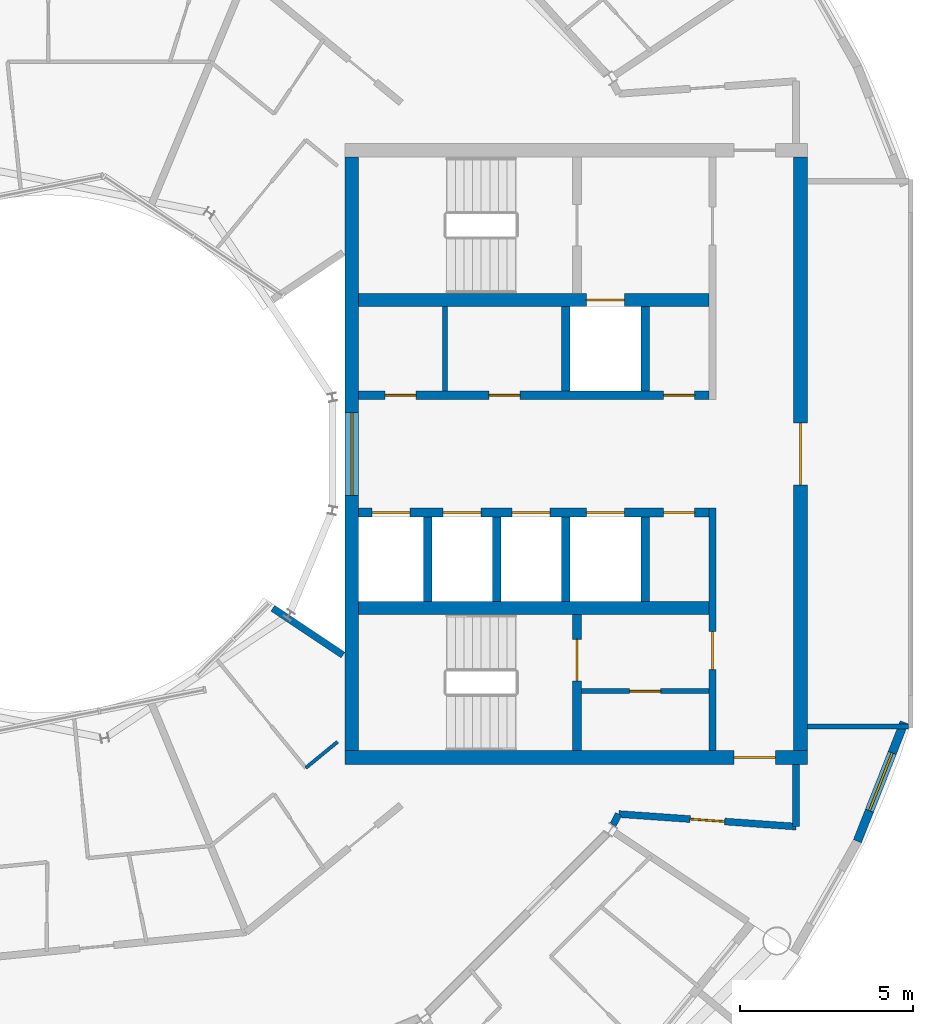
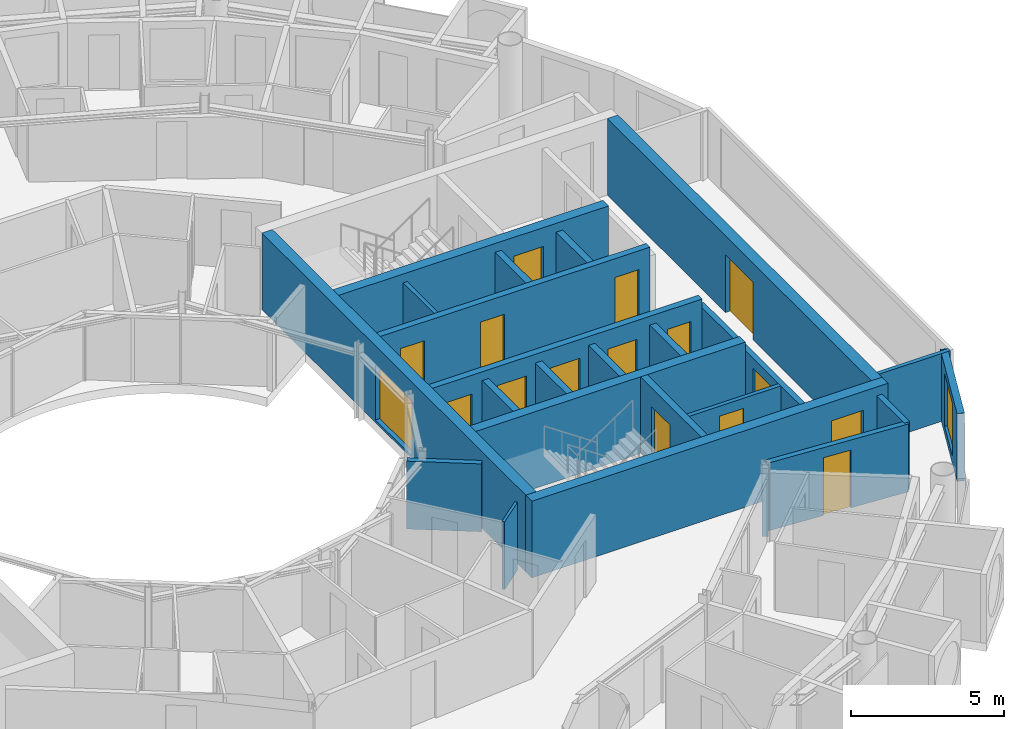
# One storey, part 18 of 27: 24 walls, 15 doors, 2 windows, 17 openings.
"""IFC4 building model written with IfcOpenShell, lengths in metres."""

from ifc_helpers import new_model, si_unit, direction, frame, frame_2d, origin, place, context, subcontext, project, spatial, rectangle, extrude, material, layer, layer_set, type_object, element, fill, save


model = new_model("IFC4")

# Units and contexts
model_context = context("Model", 3, precision=1e-05, world=origin(), true_north=direction((0.0, 1.0)))
body_context = subcontext(model_context, "Body", "Model", "MODEL_VIEW")
ifc_project = project(units=[si_unit("LENGTHUNIT", "METRE"), si_unit("AREAUNIT", "SQUARE_METRE"), si_unit("VOLUMEUNIT", "CUBIC_METRE"), si_unit("PLANEANGLEUNIT", "RADIAN"), si_unit("MASSUNIT", "GRAM", prefix="KILO")], contexts=[model_context])

# Site, building, storey
site_placement = place(None, origin())
site = spatial("IfcSite", under=ifc_project, at=site_placement, CompositionType="ELEMENT")
building_placement = place(site_placement, origin())
building = spatial("IfcBuilding", under=site, at=building_placement, Name="Maasbend Ring Residences", CompositionType="ELEMENT")
storey_placement = place(building_placement, frame((0.0, 0.0, 240.14990234375)))
storey = spatial("IfcBuildingStorey", under=building, at=storey_placement, Name="L69", CompositionType="ELEMENT", Elevation=240.14990234375)

# Wall, openings, doors
ifc_material_1 = material(Name="Concrete C50/60", Category="concrete")
ifc_layer_1 = layer(ifc_material_1, 0.25)
ifc_layer_set_1 = layer_set([ifc_layer_1], Name="Concrete C50/60")
wall_type_1 = type_object("IfcWallType", Name="CORE WALL 250 C50/60", PredefinedType="SHEAR", material=ifc_layer_set_1)
wall_1_placement = place(storey_placement, frame((9.0, 1.699951171875, 0.0), z_axis=(0.0, 0.0, 1.0), x_axis=(1.0, 0.0, 0.0)))
wall_1 = element("IfcWall", 1, at=wall_1_placement, inside=storey, type_object=wall_type_1, Name="L69 core E wall SPN", PredefinedType="SHEAR", context=body_context, shape_type="SweptSolid", body=[
    extrude(rectangle(XDim=10.14990234375, YDim=0.25, at=frame_2d((5.074951171875, 0.0))), origin(), (0.0, 0.0, 1.0), 3.050048828125),
])
opening_1_placement = place(wall_1_placement, frame((0.762451171875, 0.0, 0.0)))
opening_1 = element("IfcOpeningElement", 2, at=opening_1_placement, cuts=wall_1, Name="Opening D-E6906", PredefinedType="OPENING", context=body_context, shape_type="SweptSolid", body=[
    extrude(rectangle(XDim=0.89990234375, YDim=2.300048828125, at=frame_2d((0.449951171875, 1.14990234375))), frame((0.0, 0.135009765625, 0.0), z_axis=(0.0, -1.0, 0.0), x_axis=(1.0, 0.0, 0.0)), (0.0, 0.0, 1.0), 0.27001953125),
])
opening_2_placement = place(wall_1_placement, frame((3.77490234375, 0.0, 0.0)))
opening_2 = element("IfcOpeningElement", 3, at=opening_2_placement, cuts=wall_1, Name="Opening D-E6907", PredefinedType="OPENING", context=body_context, shape_type="SweptSolid", body=[
    extrude(rectangle(XDim=0.89990234375, YDim=2.300048828125, at=frame_2d((0.449951171875, 1.14990234375))), frame((0.0, 0.135009765625, 0.0), z_axis=(0.0, -1.0, 0.0), x_axis=(1.0, 0.0, 0.0)), (0.0, 0.0, 1.0), 0.27001953125),
])
opening_3_placement = place(wall_1_placement, frame((8.83740234375, 0.0, 0.0)))
opening_3 = element("IfcOpeningElement", 4, at=opening_3_placement, cuts=wall_1, Name="Opening D-E6908", PredefinedType="OPENING", context=body_context, shape_type="SweptSolid", body=[
    extrude(rectangle(XDim=0.89990234375, YDim=2.300048828125, at=frame_2d((0.449951171875, 1.14990234375))), frame((0.0, 0.135009765625, 0.0), z_axis=(0.0, -1.0, 0.0), x_axis=(1.0, 0.0, 0.0)), (0.0, 0.0, 1.0), 0.27001953125),
])
ifc_material_2 = material(Name="Steel, powder coated", Category="steel")
door_type_1 = type_object("IfcDoorType", Name="ROOM DOOR 900 X 2300 FD30S", OperationType="NOTDEFINED", PredefinedType="DOOR", material=ifc_material_2)
door_1_placement = place(opening_1_placement, origin())
door_1 = element("IfcDoor", 5, at=door_1_placement, inside=storey, type_object=door_type_1, Name="Room door L69", OperationType="SINGLE_SWING_RIGHT", OverallHeight=2.300048828125, OverallWidth=0.89990234375, PredefinedType="DOOR", context=body_context, shape_type="SweptSolid", body=[
    extrude(rectangle(XDim=0.89990234375, YDim=2.300048828125, at=frame_2d((0.449951171875, 1.14990234375))), frame((0.0, 0.02490234375, 0.0), z_axis=(0.0, -1.0, 0.0), x_axis=(1.0, 0.0, 0.0)), (0.0, 0.0, 1.0), 0.050048828125),
])
fill(opening_1, door_1)
door_2_placement = place(opening_2_placement, origin())
door_2 = element("IfcDoor", 6, at=door_2_placement, inside=storey, type_object=door_type_1, Name="Room door L69", OperationType="SINGLE_SWING_RIGHT", OverallHeight=2.300048828125, OverallWidth=0.89990234375, PredefinedType="DOOR", context=body_context, shape_type="SweptSolid", body=[
    extrude(rectangle(XDim=0.89990234375, YDim=2.300048828125, at=frame_2d((0.449951171875, 1.14990234375))), frame((0.0, 0.02490234375, 0.0), z_axis=(0.0, -1.0, 0.0), x_axis=(1.0, 0.0, 0.0)), (0.0, 0.0, 1.0), 0.050048828125),
])
fill(opening_2, door_2)
door_3_placement = place(opening_3_placement, origin())
door_3 = element("IfcDoor", 7, at=door_3_placement, inside=storey, type_object=door_type_1, Name="Room door L69", OperationType="SINGLE_SWING_LEFT", OverallHeight=2.300048828125, OverallWidth=0.89990234375, PredefinedType="DOOR", context=body_context, shape_type="SweptSolid", body=[
    extrude(rectangle(XDim=0.89990234375, YDim=2.300048828125, at=frame_2d((0.449951171875, 1.14990234375))), frame((0.0, 0.02490234375, 0.0), z_axis=(0.0, -1.0, 0.0), x_axis=(1.0, 0.0, 0.0)), (0.0, 0.0, 1.0), 0.050048828125),
])
fill(opening_3, door_3)

wall_2_placement = place(storey_placement, frame((19.14990234375, -1.699951171875, 0.0), z_axis=(0.0, 0.0, 1.0), x_axis=(-1.0, 0.0, 0.0)))
wall_2 = element("IfcWall", 8, at=wall_2_placement, inside=storey, type_object=wall_type_1, Name="L69 core E wall SPS", PredefinedType="SHEAR", context=body_context, shape_type="SweptSolid", body=[
    extrude(rectangle(XDim=10.14990234375, YDim=0.25, at=frame_2d((5.074951171875, 0.0))), origin(), (0.0, 0.0, 1.0), 3.050048828125),
])
opening_4_placement = place(wall_2_placement, frame((8.66259765625, 0.0, 0.0)))
opening_4 = element("IfcOpeningElement", 9, at=opening_4_placement, cuts=wall_2, Name="Opening LD-E6902", PredefinedType="OPENING", context=body_context, shape_type="SweptSolid", body=[
    extrude(rectangle(XDim=1.10009765625, YDim=2.300048828125, at=frame_2d((0.550048828125, 1.14990234375))), frame((0.0, 0.135009765625, 0.0), z_axis=(0.0, -1.0, 0.0), x_axis=(1.0, 0.0, 0.0)), (0.0, 0.0, 1.0), 0.27001953125),
])
opening_5_placement = place(wall_2_placement, frame((6.60009765625, 0.0, 0.0)))
opening_5 = element("IfcOpeningElement", 10, at=opening_5_placement, cuts=wall_2, Name="Opening LD-E6903", PredefinedType="OPENING", context=body_context, shape_type="SweptSolid", body=[
    extrude(rectangle(XDim=1.10009765625, YDim=2.300048828125, at=frame_2d((0.550048828125, 1.14990234375))), frame((0.0, 0.135009765625, 0.0), z_axis=(0.0, -1.0, 0.0), x_axis=(1.0, 0.0, 0.0)), (0.0, 0.0, 1.0), 0.27001953125),
])
opening_6_placement = place(wall_2_placement, frame((4.60009765625, 0.0, 0.0)))
opening_6 = element("IfcOpeningElement", 11, at=opening_6_placement, cuts=wall_2, Name="Opening LD-E6904", PredefinedType="OPENING", context=body_context, shape_type="SweptSolid", body=[
    extrude(rectangle(XDim=1.10009765625, YDim=2.300048828125, at=frame_2d((0.550048828125, 1.14990234375))), frame((0.0, 0.135009765625, 0.0), z_axis=(0.0, -1.0, 0.0), x_axis=(1.0, 0.0, 0.0)), (0.0, 0.0, 1.0), 0.27001953125),
])
opening_7_placement = place(wall_2_placement, frame((2.449951171875, 0.0, 0.0)))
opening_7 = element("IfcOpeningElement", 12, at=opening_7_placement, cuts=wall_2, Name="Opening LD-E6905", PredefinedType="OPENING", context=body_context, shape_type="SweptSolid", body=[
    extrude(rectangle(XDim=1.10009765625, YDim=2.300048828125, at=frame_2d((0.550048828125, 1.14990234375))), frame((0.0, 0.135009765625, 0.0), z_axis=(0.0, -1.0, 0.0), x_axis=(1.0, 0.0, 0.0)), (0.0, 0.0, 1.0), 0.27001953125),
])
opening_8_placement = place(wall_2_placement, frame((0.41259765625, 0.0, 0.0)))
opening_8 = element("IfcOpeningElement", 13, at=opening_8_placement, cuts=wall_2, Name="Opening D-E6909", PredefinedType="OPENING", context=body_context, shape_type="SweptSolid", body=[
    extrude(rectangle(XDim=0.89990234375, YDim=2.300048828125, at=frame_2d((0.449951171875, 1.14990234375))), frame((0.0, 0.135009765625, 0.0), z_axis=(0.0, -1.0, 0.0), x_axis=(1.0, 0.0, 0.0)), (0.0, 0.0, 1.0), 0.27001953125),
])
ifc_material_3 = material(Name="Stainless steel 316", Category="steel")
door_type_2 = type_object("IfcDoorType", Name="LANDING DOOR 1100 X 2300 FD60", OperationType="DOUBLE_DOOR_SLIDING", PredefinedType="DOOR", material=ifc_material_3)
door_4_placement = place(opening_4_placement, origin())
door_4 = element("IfcDoor", 14, at=door_4_placement, inside=storey, type_object=door_type_2, Name="Landing door HR-E1 L69", OperationType="DOUBLE_DOOR_SLIDING", OverallHeight=2.300048828125, OverallWidth=1.10009765625, PredefinedType="DOOR", context=body_context, shape_type="SweptSolid", body=[
    extrude(rectangle(XDim=1.10009765625, YDim=2.300048828125, at=frame_2d((0.550048828125, 1.14990234375))), frame((0.0, 0.02490234375, 0.0), z_axis=(0.0, -1.0, 0.0), x_axis=(1.0, 0.0, 0.0)), (0.0, 0.0, 1.0), 0.050048828125),
])
fill(opening_4, door_4)
door_5_placement = place(opening_5_placement, origin())
door_5 = element("IfcDoor", 15, at=door_5_placement, inside=storey, type_object=door_type_2, Name="Landing door HR-E2 L69", OperationType="DOUBLE_DOOR_SLIDING", OverallHeight=2.300048828125, OverallWidth=1.10009765625, PredefinedType="DOOR", context=body_context, shape_type="SweptSolid", body=[
    extrude(rectangle(XDim=1.10009765625, YDim=2.300048828125, at=frame_2d((0.550048828125, 1.14990234375))), frame((0.0, 0.02490234375, 0.0), z_axis=(0.0, -1.0, 0.0), x_axis=(1.0, 0.0, 0.0)), (0.0, 0.0, 1.0), 0.050048828125),
])
fill(opening_5, door_5)
door_6_placement = place(opening_6_placement, origin())
door_6 = element("IfcDoor", 16, at=door_6_placement, inside=storey, type_object=door_type_2, Name="Landing door HR-E3 L69", OperationType="DOUBLE_DOOR_SLIDING", OverallHeight=2.300048828125, OverallWidth=1.10009765625, PredefinedType="DOOR", context=body_context, shape_type="SweptSolid", body=[
    extrude(rectangle(XDim=1.10009765625, YDim=2.300048828125, at=frame_2d((0.550048828125, 1.14990234375))), frame((0.0, 0.02490234375, 0.0), z_axis=(0.0, -1.0, 0.0), x_axis=(1.0, 0.0, 0.0)), (0.0, 0.0, 1.0), 0.050048828125),
])
fill(opening_6, door_6)
door_7_placement = place(opening_7_placement, origin())
door_7 = element("IfcDoor", 17, at=door_7_placement, inside=storey, type_object=door_type_2, Name="Landing door SV-E L69", OperationType="DOUBLE_DOOR_SLIDING", OverallHeight=2.300048828125, OverallWidth=1.10009765625, PredefinedType="DOOR", context=body_context, shape_type="SweptSolid", body=[
    extrude(rectangle(XDim=1.10009765625, YDim=2.300048828125, at=frame_2d((0.550048828125, 1.14990234375))), frame((0.0, 0.02490234375, 0.0), z_axis=(0.0, -1.0, 0.0), x_axis=(1.0, 0.0, 0.0)), (0.0, 0.0, 1.0), 0.050048828125),
])
fill(opening_7, door_7)
door_8_placement = place(opening_8_placement, origin())
door_8 = element("IfcDoor", 18, at=door_8_placement, inside=storey, type_object=door_type_1, Name="Room door L69", OperationType="SINGLE_SWING_RIGHT", OverallHeight=2.300048828125, OverallWidth=0.89990234375, PredefinedType="DOOR", context=body_context, shape_type="SweptSolid", body=[
    extrude(rectangle(XDim=0.89990234375, YDim=2.300048828125, at=frame_2d((0.449951171875, 1.14990234375))), frame((0.0, 0.02490234375, 0.0), z_axis=(0.0, -1.0, 0.0), x_axis=(1.0, 0.0, 0.0)), (0.0, 0.0, 1.0), 0.050048828125),
])
fill(opening_8, door_8)

# Wall, opening, door
wall_3_placement = place(storey_placement, frame((15.324951171875, -8.60009765625, 0.0), z_axis=(0.0, 0.0, 1.0), x_axis=(0.0, 1.0, 0.0)))
wall_3 = element("IfcWall", 19, at=wall_3_placement, inside=storey, type_object=wall_type_1, Name="L69 core E wall STES", PredefinedType="SHEAR", context=body_context, shape_type="SweptSolid", body=[
    extrude(rectangle(XDim=3.9501953125, YDim=0.25, at=frame_2d((1.97509765625, 0.0))), origin(), (0.0, 0.0, 1.0), 3.050048828125),
])
opening_9_placement = place(wall_3_placement, frame((2.02490234375, 0.0, 0.0)))
opening_9 = element("IfcOpeningElement", 20, at=opening_9_placement, cuts=wall_3, Name="Opening D-E6912", PredefinedType="OPENING", context=body_context, shape_type="SweptSolid", body=[
    extrude(rectangle(XDim=1.199951171875, YDim=2.300048828125, at=frame_2d((0.60009765625, 1.14990234375))), frame((0.0, 0.135009765625, 0.0), z_axis=(0.0, -1.0, 0.0), x_axis=(1.0, 0.0, 0.0)), (0.0, 0.0, 1.0), 0.27001953125),
])
ifc_material_4 = material(Name="Steel, powder coated", Category="steel")
door_type_3 = type_object("IfcDoorType", Name="STAIR DOOR 1200 X 2300 FD60", OperationType="NOTDEFINED", PredefinedType="DOOR", material=ifc_material_4)
door_9_placement = place(opening_9_placement, origin())
door_9 = element("IfcDoor", 21, at=door_9_placement, inside=storey, type_object=door_type_3, Name="Stair door ST-E L69", OperationType="SINGLE_SWING_LEFT", OverallHeight=2.300048828125, OverallWidth=1.199951171875, PredefinedType="DOOR", context=body_context, shape_type="SweptSolid", body=[
    extrude(rectangle(XDim=1.199951171875, YDim=2.300048828125, at=frame_2d((0.60009765625, 1.14990234375))), frame((0.0, 0.02490234375, 0.0), z_axis=(0.0, -1.0, 0.0), x_axis=(1.0, 0.0, 0.0)), (0.0, 0.0, 1.0), 0.050048828125),
])
fill(opening_9, door_9)

ifc_material_5 = material(Name="Concrete C50/60", Category="concrete")
ifc_layer_2 = layer(ifc_material_5, 0.375)
ifc_layer_set_2 = layer_set([ifc_layer_2], Name="Concrete C50/60")
wall_type_2 = type_object("IfcWallType", Name="CORE WALL 375 C50/60", PredefinedType="SHEAR", material=ifc_layer_set_2)
wall_4_placement = place(storey_placement, frame((9.0, 4.46240234375, 0.0), z_axis=(0.0, 0.0, 1.0), x_axis=(1.0, 0.0, 0.0)))
wall_4 = element("IfcWall", 22, at=wall_4_placement, inside=storey, type_object=wall_type_2, Name="L69 core E wall BN", PredefinedType="SHEAR", context=body_context, shape_type="SweptSolid", body=[
    extrude(rectangle(XDim=10.14990234375, YDim=0.375, at=frame_2d((5.074951171875, 0.0))), origin(), (0.0, 0.0, 1.0), 3.050048828125),
])
opening_10_placement = place(wall_4_placement, frame((6.60009765625, 0.0, 0.0)))
opening_10 = element("IfcOpeningElement", 23, at=opening_10_placement, cuts=wall_4, Name="Opening LD-E6901", PredefinedType="OPENING", context=body_context, shape_type="SweptSolid", body=[
    extrude(rectangle(XDim=1.10009765625, YDim=2.300048828125, at=frame_2d((0.550048828125, 1.14990234375))), frame((0.0, 0.197509765625, 0.0), z_axis=(0.0, -1.0, 0.0), x_axis=(1.0, 0.0, 0.0)), (0.0, 0.0, 1.0), 0.39501953125),
])
door_10_placement = place(opening_10_placement, origin())
door_10 = element("IfcDoor", 24, at=door_10_placement, inside=storey, type_object=door_type_2, Name="Landing door FF-E L69", OperationType="DOUBLE_DOOR_SLIDING", OverallHeight=2.300048828125, OverallWidth=1.10009765625, PredefinedType="DOOR", context=body_context, shape_type="SweptSolid", body=[
    extrude(rectangle(XDim=1.10009765625, YDim=2.300048828125, at=frame_2d((0.550048828125, 1.14990234375))), frame((0.0, 0.02490234375, 0.0), z_axis=(0.0, -1.0, 0.0), x_axis=(1.0, 0.0, 0.0)), (0.0, 0.0, 1.0), 0.050048828125),
])
fill(opening_10, door_10)

# Wall
wall_5_placement = place(storey_placement, frame((9.0, -4.46240234375, 0.0), z_axis=(0.0, 0.0, 1.0), x_axis=(1.0, 0.0, 0.0)))
element("IfcWall", 25, at=wall_5_placement, inside=storey, type_object=wall_type_2, Name="L69 core E wall BS", PredefinedType="SHEAR", context=body_context, shape_type="SweptSolid", body=[
    extrude(rectangle(XDim=10.14990234375, YDim=0.375, at=frame_2d((5.074951171875, 0.0))), origin(), (0.0, 0.0, 1.0), 3.050048828125),
])

# Wall, opening, door
ifc_material_6 = material(Name="Concrete C50/60", Category="concrete")
ifc_layer_3 = layer(ifc_material_6, 0.39990234375)
ifc_layer_set_3 = layer_set([ifc_layer_3], Name="Concrete C50/60")
wall_type_3 = type_object("IfcWallType", Name="CORE WALL 400 C50/60", PredefinedType="SHEAR", material=ifc_layer_set_3)
wall_6_placement = place(storey_placement, frame((8.60009765625, -8.800048828125, 0.0), z_axis=(0.0, 0.0, 1.0), x_axis=(1.0, 0.0, 0.0)))
wall_6 = element("IfcWall", 26, at=wall_6_placement, inside=storey, type_object=wall_type_3, Name="L69 core E wall PS", PredefinedType="SHEAR", context=body_context, shape_type="SweptSolid", body=[
    extrude(rectangle(XDim=13.39990234375, YDim=0.39990234375, at=frame_2d((6.699951171875, 0.0))), origin(), (0.0, 0.0, 1.0), 3.050048828125),
])
opening_11_placement = place(wall_6_placement, frame((11.27490234375, 0.0, 0.0)))
opening_11 = element("IfcOpeningElement", 27, at=opening_11_placement, cuts=wall_6, Name="Opening D-E6916", PredefinedType="OPENING", context=body_context, shape_type="SweptSolid", body=[
    extrude(rectangle(XDim=1.199951171875, YDim=2.300048828125, at=frame_2d((0.60009765625, 1.14990234375))), frame((0.0, 0.2099609375, 0.0), z_axis=(0.0, -1.0, 0.0), x_axis=(1.0, 0.0, 0.0)), (0.0, 0.0, 1.0), 0.419921875),
])
ifc_material_7 = material(Name="Steel, powder coated", Category="steel")
door_type_4 = type_object("IfcDoorType", Name="CORRIDOR DOOR 1200 X 2300 FD30S", OperationType="NOTDEFINED", PredefinedType="DOOR", material=ifc_material_7)
door_11_placement = place(opening_11_placement, origin())
door_11 = element("IfcDoor", 28, at=door_11_placement, inside=storey, type_object=door_type_4, Name="Corridor door L69", OperationType="SINGLE_SWING_LEFT", OverallHeight=2.300048828125, OverallWidth=1.199951171875, PredefinedType="DOOR", context=body_context, shape_type="SweptSolid", body=[
    extrude(rectangle(XDim=1.199951171875, YDim=2.300048828125, at=frame_2d((0.60009765625, 1.14990234375))), frame((0.0, 0.02490234375, 0.0), z_axis=(0.0, -1.0, 0.0), x_axis=(1.0, 0.0, 0.0)), (0.0, 0.0, 1.0), 0.050048828125),
])
fill(opening_11, door_11)

wall_7_placement = place(storey_placement, frame((21.800048828125, 8.60009765625, 0.0), z_axis=(0.0, 0.0, 1.0), x_axis=(0.0, -1.0, 0.0)))
wall_7 = element("IfcWall", 29, at=wall_7_placement, inside=storey, type_object=wall_type_3, Name="L69 core E wall POUT", PredefinedType="SHEAR", context=body_context, shape_type="SweptSolid", body=[
    extrude(rectangle(XDim=17.2001953125, YDim=0.39990234375, at=frame_2d((8.60009765625, 0.0))), origin(), (0.0, 0.0, 1.0), 3.050048828125),
])
opening_12_placement = place(wall_7_placement, frame((7.699951171875, 0.0, 0.0)))
opening_12 = element("IfcOpeningElement", 30, at=opening_12_placement, cuts=wall_7, Name="Opening D-E6917", PredefinedType="OPENING", context=body_context, shape_type="SweptSolid", body=[
    extrude(rectangle(XDim=1.800048828125, YDim=2.300048828125, at=frame_2d((0.89990234375, 1.14990234375))), frame((0.0, 0.2099609375, 0.0), z_axis=(0.0, -1.0, 0.0), x_axis=(1.0, 0.0, 0.0)), (0.0, 0.0, 1.0), 0.419921875),
])
ifc_material_8 = material(Name="Aluminium frame, clear glass", Category="aluminium")
door_type_5 = type_object("IfcDoorType", Name="ENTRANCE DOOR 1800 X 2300 FD60", OperationType="NOTDEFINED", PredefinedType="DOOR", material=ifc_material_8)
door_12_placement = place(opening_12_placement, origin())
door_12 = element("IfcDoor", 31, at=door_12_placement, inside=storey, type_object=door_type_5, Name="Lobby glazed door L69", OperationType="SINGLE_SWING_LEFT", OverallHeight=2.300048828125, OverallWidth=1.800048828125, PredefinedType="DOOR", context=body_context, shape_type="SweptSolid", body=[
    extrude(rectangle(XDim=1.800048828125, YDim=2.300048828125, at=frame_2d((0.89990234375, 1.14990234375))), frame((0.0, 0.02490234375, 0.0), z_axis=(0.0, -1.0, 0.0), x_axis=(1.0, 0.0, 0.0)), (0.0, 0.0, 1.0), 0.050048828125),
])
fill(opening_12, door_12)

# Wall, opening, window
wall_8_placement = place(storey_placement, frame((8.800048828125, -8.60009765625, 0.0), z_axis=(0.0, 0.0, 1.0), x_axis=(0.0, 1.0, 0.0)))
wall_8 = element("IfcWall", 32, at=wall_8_placement, inside=storey, type_object=wall_type_3, Name="L69 core E wall PIN", PredefinedType="SHEAR", context=body_context, shape_type="SweptSolid", body=[
    extrude(rectangle(XDim=17.2001953125, YDim=0.39990234375, at=frame_2d((8.60009765625, 0.0))), origin(), (0.0, 0.0, 1.0), 3.050048828125),
])
opening_13_placement = place(wall_8_placement, frame((7.39990234375, 0.0, 0.10009765625)))
opening_13 = element("IfcOpeningElement", 33, at=opening_13_placement, cuts=wall_8, Name="Opening W-E6901", PredefinedType="OPENING", context=body_context, shape_type="SweptSolid", body=[
    extrude(rectangle(XDim=2.39990234375, YDim=2.199951171875, at=frame_2d((1.199951171875, 1.10009765625))), frame((0.0, 0.2099609375, 0.0), z_axis=(0.0, -1.0, 0.0), x_axis=(1.0, 0.0, 0.0)), (0.0, 0.0, 1.0), 0.419921875),
])
ifc_material_9 = material(Name="Aluminium frame and clear glass", Category="aluminium")
window_type_1 = type_object("IfcWindowType", Name="FIXED WINDOW 2400 X 2200", PartitioningType="SINGLE_PANEL", PredefinedType="WINDOW", material=ifc_material_9)
window_1_placement = place(opening_13_placement, origin())
window_1 = element("IfcWindow", 34, at=window_1_placement, inside=storey, type_object=window_type_1, Name="Lobby window L69", OverallHeight=2.199951171875, OverallWidth=2.39990234375, PartitioningType="SINGLE_PANEL", PredefinedType="WINDOW", context=body_context, shape_type="SweptSolid", body=[
    extrude(rectangle(XDim=2.39990234375, YDim=2.199951171875, at=frame_2d((1.199951171875, 1.10009765625))), frame((0.0, 0.030029296875, 0.0), z_axis=(0.0, -1.0, 0.0), x_axis=(1.0, 0.0, 0.0)), (0.0, 0.0, 1.0), 0.06005859375),
])
fill(opening_13, window_1)

# Walls
ifc_material_10 = material(Name="Concrete C30/37", Category="concrete")
ifc_layer_4 = layer(ifc_material_10, 0.199951171875)
ifc_layer_set_4 = layer_set([ifc_layer_4], Name="Concrete C30/37")
wall_type_4 = type_object("IfcWallType", Name="CORRIDOR WALL 200 CONCRETE", PredefinedType="PARTITIONING", material=ifc_layer_set_4)
wall_9_placement = place(storey_placement, frame((21.675048828125, -10.800048828125, 0.0), z_axis=(0.0, 0.0, 1.0), x_axis=(0.0, 1.0, 0.0)))
element("IfcWall", 35, at=wall_9_placement, inside=storey, type_object=wall_type_4, Name="U-L69-w001", PredefinedType="PARTITIONING", context=body_context, shape_type="SweptSolid", body=[
    extrude(rectangle(XDim=1.800048828125, YDim=0.199951171875, at=frame_2d((0.89990234375, 0.0))), origin(), (0.0, 0.0, 1.0), 2.7001953125),
])
wall_10_placement = place(storey_placement, frame((16.366943359375, -10.756103515625, 0.0), z_axis=(0.0, 0.0, 1.0), x_axis=(0.465802239822, 0.884888848035, 0.0)))
element("IfcWall", 36, at=wall_10_placement, inside=storey, type_object=wall_type_4, Name="U-L69-w014", PredefinedType="PARTITIONING", context=body_context, shape_type="SweptSolid", body=[
    extrude(rectangle(XDim=0.360595703125, YDim=0.199951171875, at=frame_2d((0.18017578125, 0.0))), origin(), (0.0, 0.0, 1.0), 2.7001953125),
])

# Wall, opening, door
wall_11_placement = place(storey_placement, frame((16.534912109375, -10.43701171875, 0.0), z_axis=(0.0, 0.0, 1.0), x_axis=(0.997515141784, -0.070452408845, 0.0)))
wall_11 = element("IfcWall", 37, at=wall_11_placement, inside=storey, type_object=wall_type_4, Name="U-L69-w030", PredefinedType="PARTITIONING", context=body_context, shape_type="SweptSolid", body=[
    extrude(rectangle(XDim=5.15283203125, YDim=0.199951171875, at=frame_2d((2.576416015625, 0.0))), origin(), (0.0, 0.0, 1.0), 2.7001953125),
])
opening_14_placement = place(wall_11_placement, frame((2.075927734375, 0.0, 0.0)))
opening_14 = element("IfcOpeningElement", 38, at=opening_14_placement, cuts=wall_11, Name="Opening D-6965", PredefinedType="OPENING", context=body_context, shape_type="SweptSolid", body=[
    extrude(rectangle(XDim=1.0, YDim=2.300048828125, at=frame_2d((0.5, 1.14990234375))), frame((0.0, 0.10986328125, 0.0), z_axis=(0.0, -1.0, 0.0), x_axis=(1.0, 0.0, 0.0)), (0.0, 0.0, 1.0), 0.219970703125),
])
ifc_material_11 = material(Name="Timber, painted", Category="wood")
door_type_6 = type_object("IfcDoorType", Name="ROOM DOOR 1000 X 2300", OperationType="NOTDEFINED", PredefinedType="DOOR", material=ifc_material_11)
door_13_placement = place(opening_14_placement, origin())
door_13 = element("IfcDoor", 39, at=door_13_placement, inside=storey, type_object=door_type_6, Name="D-6965", OperationType="SINGLE_SWING_LEFT", OverallHeight=2.300048828125, OverallWidth=1.0, PredefinedType="DOOR", context=body_context, shape_type="SweptSolid", body=[
    extrude(rectangle(XDim=1.0, YDim=2.300048828125, at=frame_2d((0.5, 1.14990234375))), frame((0.0, 0.02490234375, 0.0), z_axis=(0.0, -1.0, 0.0), x_axis=(1.0, 0.0, 0.0)), (0.0, 0.0, 1.0), 0.050048828125),
])
fill(opening_14, door_13)

# Wall, opening, window
ifc_material_12 = material(Name="Aluminium clad insulated panel", Category="aluminium")
ifc_layer_5 = layer(ifc_material_12, 0.25)
ifc_layer_set_5 = layer_set([ifc_layer_5], Name="EW-HORN")
wall_type_5 = type_object("IfcWallType", Name="EW-HORN", PredefinedType="SOLIDWALL", material=ifc_layer_set_5)
wall_12_placement = place(storey_placement, frame((23.451904296875, -11.22607421875, 0.0), z_axis=(0.0, 0.0, 1.0), x_axis=(0.366351636034, 0.930476479432, 0.0)))
wall_12 = element("IfcWall", 40, at=wall_12_placement, inside=storey, type_object=wall_type_5, Name="Horn wall 2.2", PredefinedType="SOLIDWALL", context=body_context, shape_type="SweptSolid", body=[
    extrude(rectangle(XDim=3.70458984375, YDim=0.25, at=frame_2d((1.852294921875, 0.0))), origin(), (0.0, 0.0, 1.0), 2.7001953125),
])
opening_15_placement = place(wall_12_placement, frame((0.952392578125, 0.0, 0.300048828125)))
opening_15 = element("IfcOpeningElement", 41, at=opening_15_placement, cuts=wall_12, Name="Opening W-BX", PredefinedType="OPENING", context=body_context, shape_type="SweptSolid", body=[
    extrude(rectangle(XDim=1.800048828125, YDim=2.10009765625, at=frame_2d((0.89990234375, 1.050048828125))), frame((0.0, 0.135009765625, 0.0), z_axis=(0.0, -1.0, 0.0), x_axis=(1.0, 0.0, 0.0)), (0.0, 0.0, 1.0), 0.27001953125),
])
ifc_material_13 = material(Name="Aluminium and clear glass", Category="aluminium")
window_type_2 = type_object("IfcWindowType", Name="W-BX", PartitioningType="DOUBLE_PANEL_VERTICAL", PredefinedType="WINDOW", material=ifc_material_13)
window_2_placement = place(opening_15_placement, origin())
window_2 = element("IfcWindow", 42, at=window_2_placement, inside=storey, type_object=window_type_2, Name="Horn window 2.2", OverallHeight=2.10009765625, OverallWidth=1.800048828125, PartitioningType="SINGLE_PANEL", PredefinedType="WINDOW", context=body_context, shape_type="SweptSolid", body=[
    extrude(rectangle(XDim=1.800048828125, YDim=2.10009765625, at=frame_2d((0.89990234375, 1.050048828125))), frame((0.0, 0.030029296875, 0.0), z_axis=(0.0, -1.0, 0.0), x_axis=(1.0, 0.0, 0.0)), (0.0, 0.0, 1.0), 0.06005859375),
])
fill(opening_15, window_2)

# Walls
ifc_material_14 = material(Name="Gypsum board on steel studs", Category="steel")
ifc_layer_6 = layer(ifc_material_14, 0.10009765625)
ifc_layer_set_6 = layer_set([ifc_layer_6], Name="PARTITION 100 GYPSUM")
wall_type_6 = type_object("IfcWallType", Name="PARTITION 100 GYPSUM", PredefinedType="PARTITIONING", material=ifc_layer_set_6)
wall_13_placement = place(storey_placement, frame((7.466064453125, -9.10009765625, 0.0), z_axis=(0.0, 0.0, 1.0), x_axis=(0.772869802794, 0.634564628646, 0.0)))
element("IfcWall", 43, at=wall_13_placement, inside=storey, type_object=wall_type_6, Name="U-L69-w026", PredefinedType="PARTITIONING", context=body_context, shape_type="SweptSolid", body=[
    extrude(rectangle(XDim=1.191650390625, YDim=0.10009765625, at=frame_2d((0.595703125, 0.0))), origin(), (0.0, 0.0, 1.0), 2.7001953125),
])
ifc_material_15 = material(Name="Gypsum board on steel studs", Category="steel")
ifc_layer_7 = layer(ifc_material_15, 0.14990234375)
ifc_layer_set_7 = layer_set([ifc_layer_7], Name="PARTITION 150 EI 60")
wall_type_7 = type_object("IfcWallType", Name="PARTITION 150 EI 60", PredefinedType="PARTITIONING", material=ifc_layer_set_7)
wall_14_placement = place(storey_placement, frame((11.5, 1.824951171875, 0.0), z_axis=(0.0, 0.0, 1.0), x_axis=(0.0, 1.0, 0.0)))
element("IfcWall", 44, at=wall_14_placement, inside=storey, type_object=wall_type_7, Name="L69 core E wall PRN1150", PredefinedType="PARTITIONING", context=body_context, shape_type="SweptSolid", body=[
    extrude(rectangle(XDim=2.449951171875, YDim=0.14990234375, at=frame_2d((1.22509765625, 0.0))), origin(), (0.0, 0.0, 1.0), 2.7001953125),
])

# Wall, opening, door
wall_15_placement = place(storey_placement, frame((15.449951171875, -6.875, 0.0), z_axis=(0.0, 0.0, 1.0), x_axis=(1.0, 0.0, 0.0)))
wall_15 = element("IfcWall", 45, at=wall_15_placement, inside=storey, type_object=wall_type_7, Name="L69 core E wall RHS", PredefinedType="PARTITIONING", context=body_context, shape_type="SweptSolid", body=[
    extrude(rectangle(XDim=3.699951171875, YDim=0.14990234375, at=frame_2d((1.85009765625, 0.0))), origin(), (0.0, 0.0, 1.0), 2.7001953125),
])
opening_16_placement = place(wall_15_placement, frame((1.39990234375, 0.0, 0.0)))
opening_16 = element("IfcOpeningElement", 46, at=opening_16_placement, cuts=wall_15, Name="Opening D-E6910", PredefinedType="OPENING", context=body_context, shape_type="SweptSolid", body=[
    extrude(rectangle(XDim=0.89990234375, YDim=2.300048828125, at=frame_2d((0.449951171875, 1.14990234375))), frame((0.0, 0.0849609375, 0.0), z_axis=(0.0, -1.0, 0.0), x_axis=(1.0, 0.0, 0.0)), (0.0, 0.0, 1.0), 0.169921875),
])
ifc_material_16 = material(Name="Steel, powder coated", Category="steel")
door_type_7 = type_object("IfcDoorType", Name="RISER DOOR 900 X 2300 FD60", OperationType="NOTDEFINED", PredefinedType="DOOR", material=ifc_material_16)
door_14_placement = place(opening_16_placement, origin())
door_14 = element("IfcDoor", 47, at=door_14_placement, inside=storey, type_object=door_type_7, Name="Riser door L69", OperationType="SINGLE_SWING_LEFT", OverallHeight=2.300048828125, OverallWidth=0.89990234375, PredefinedType="DOOR", context=body_context, shape_type="SweptSolid", body=[
    extrude(rectangle(XDim=0.89990234375, YDim=2.300048828125, at=frame_2d((0.449951171875, 1.14990234375))), frame((0.0, 0.02490234375, 0.0), z_axis=(0.0, -1.0, 0.0), x_axis=(1.0, 0.0, 0.0)), (0.0, 0.0, 1.0), 0.050048828125),
])
fill(opening_16, door_14)

# Walls
wall_16_placement = place(storey_placement, frame((22.0, -7.89990234375, 0.0), z_axis=(0.0, 0.0, 1.0), x_axis=(1.0, 0.0, 0.0)))
element("IfcWall", 48, at=wall_16_placement, inside=storey, type_object=wall_type_7, Name="L69 core E wall CITS", PredefinedType="PARTITIONING", context=body_context, shape_type="SweptSolid", body=[
    extrude(rectangle(XDim=2.93994140625, YDim=0.14990234375, at=frame_2d((1.469970703125, 0.0))), origin(), (0.0, 0.0, 1.0), 2.7001953125),
])
ifc_material_17 = material(Name="Concrete C30/37", Category="concrete")
ifc_layer_8 = layer(ifc_material_17, 0.199951171875)
ifc_layer_set_8 = layer_set([ifc_layer_8], Name="Concrete C30/37")
wall_type_8 = type_object("IfcWallType", Name="PARTY WALL 200 CONCRETE", PredefinedType="PARTITIONING", material=ifc_layer_set_8)
wall_17_placement = place(storey_placement, frame((6.512939453125, -4.471923828125, 0.0), z_axis=(0.0, 0.0, 1.0), x_axis=(0.831450132577, -0.555599385382, 0.0)))
element("IfcWall", 49, at=wall_17_placement, inside=storey, type_object=wall_type_8, Name="U-L69-w032", PredefinedType="PARTITIONING", context=body_context, shape_type="SweptSolid", body=[
    extrude(rectangle(XDim=2.442626953125, YDim=0.199951171875, at=frame_2d((1.22119140625, 0.0))), origin(), (0.0, 0.0, 1.0), 2.7001953125),
])

# Wall, opening, door
ifc_material_18 = material(Name="Concrete C30/37", Category="concrete")
ifc_layer_9 = layer(ifc_material_18, 0.199951171875)
ifc_layer_set_9 = layer_set([ifc_layer_9], Name="Concrete C30/37")
wall_type_9 = type_object("IfcWallType", Name="SHAFT WALL 200 EI 120", PredefinedType="SOLIDWALL", material=ifc_layer_set_9)
wall_18_placement = place(storey_placement, frame((19.25, -8.60009765625, 0.0), z_axis=(0.0, 0.0, 1.0), x_axis=(0.0, 1.0, 0.0)))
wall_18 = element("IfcWall", 50, at=wall_18_placement, inside=storey, type_object=wall_type_9, Name="L69 core E wall ENDS", PredefinedType="SOLIDWALL", context=body_context, shape_type="SweptSolid", body=[
    extrude(rectangle(XDim=7.025146484375, YDim=0.199951171875, at=frame_2d((3.5126953125, 0.0))), origin(), (0.0, 0.0, 1.0), 2.7001953125),
])
opening_17_placement = place(wall_18_placement, frame((2.35009765625, 0.0, 0.0)))
opening_17 = element("IfcOpeningElement", 51, at=opening_17_placement, cuts=wall_18, Name="Opening D-E6914", PredefinedType="OPENING", context=body_context, shape_type="SweptSolid", body=[
    extrude(rectangle(XDim=1.10009765625, YDim=2.300048828125, at=frame_2d((0.550048828125, 1.14990234375))), frame((0.0, 0.10986328125, 0.0), z_axis=(0.0, -1.0, 0.0), x_axis=(1.0, 0.0, 0.0)), (0.0, 0.0, 1.0), 0.219970703125),
])
ifc_material_19 = material(Name="Steel, powder coated", Category="steel")
door_type_8 = type_object("IfcDoorType", Name="LOBBY DOOR 1100 X 2300 FD60", OperationType="NOTDEFINED", PredefinedType="DOOR", material=ifc_material_19)
door_15_placement = place(opening_17_placement, origin())
door_15 = element("IfcDoor", 52, at=door_15_placement, inside=storey, type_object=door_type_8, Name="Lobby door L69", OperationType="SINGLE_SWING_RIGHT", OverallHeight=2.300048828125, OverallWidth=1.10009765625, PredefinedType="DOOR", context=body_context, shape_type="SweptSolid", body=[
    extrude(rectangle(XDim=1.10009765625, YDim=2.300048828125, at=frame_2d((0.550048828125, 1.14990234375))), frame((0.0, 0.02490234375, 0.0), z_axis=(0.0, -1.0, 0.0), x_axis=(1.0, 0.0, 0.0)), (0.0, 0.0, 1.0), 0.050048828125),
])
fill(opening_17, door_15)

# Walls
ifc_material_20 = material(Name="Concrete C30/37", Category="concrete")
ifc_layer_10 = layer(ifc_material_20, 0.25)
ifc_layer_set_10 = layer_set([ifc_layer_10], Name="Concrete C30/37")
wall_type_10 = type_object("IfcWallType", Name="SHAFT WALL 250 EI 120", PredefinedType="SOLIDWALL", material=ifc_layer_set_10)
for number, where, z_axis, x_axis, name in (
    (53, (15.0, 1.824951171875, 0.0), (0.0, 0.0, 1.0), (0.0, 1.0, 0.0), "L69 core E wall D150N"),
    (54, (17.300048828125, 1.824951171875, 0.0), (0.0, 0.0, 1.0), (0.0, 1.0, 0.0), "L69 core E wall D173N"),
    (55, (15.0, -1.824951171875, 0.0), (0.0, 0.0, 1.0), (0.0, -1.0, 0.0), "L69 core E wall D150S"),
    (56, (17.300048828125, -1.824951171875, 0.0), (0.0, 0.0, 1.0), (0.0, -1.0, 0.0), "L69 core E wall D173S"),
    (57, (11.0, -1.824951171875, 0.0), (0.0, 0.0, 1.0), (0.0, -1.0, 0.0), "L69 core E wall D110S"),
    (58, (13.0, -1.824951171875, 0.0), (0.0, 0.0, 1.0), (0.0, -1.0, 0.0), "L69 core E wall D130S"),
):
    element("IfcWall", number, at=place(storey_placement, frame(where, z_axis=z_axis, x_axis=x_axis)), inside=storey, type_object=wall_type_10, Name=name, PredefinedType="SOLIDWALL", context=body_context, shape_type="SweptSolid", body=[
        extrude(rectangle(XDim=2.449951171875, YDim=0.25, at=frame_2d((1.22509765625, 0.0))), origin(), (0.0, 0.0, 1.0), 2.7001953125),
    ])

save(model, "model.ifc")
